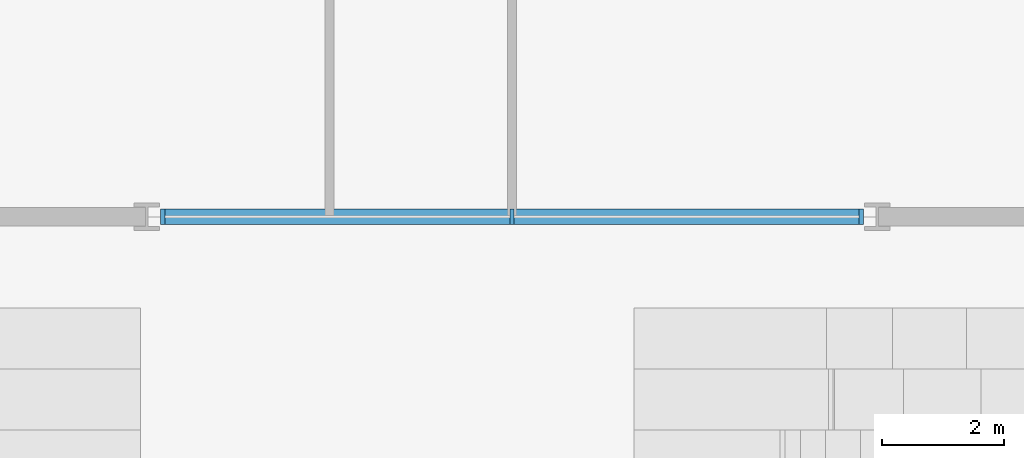
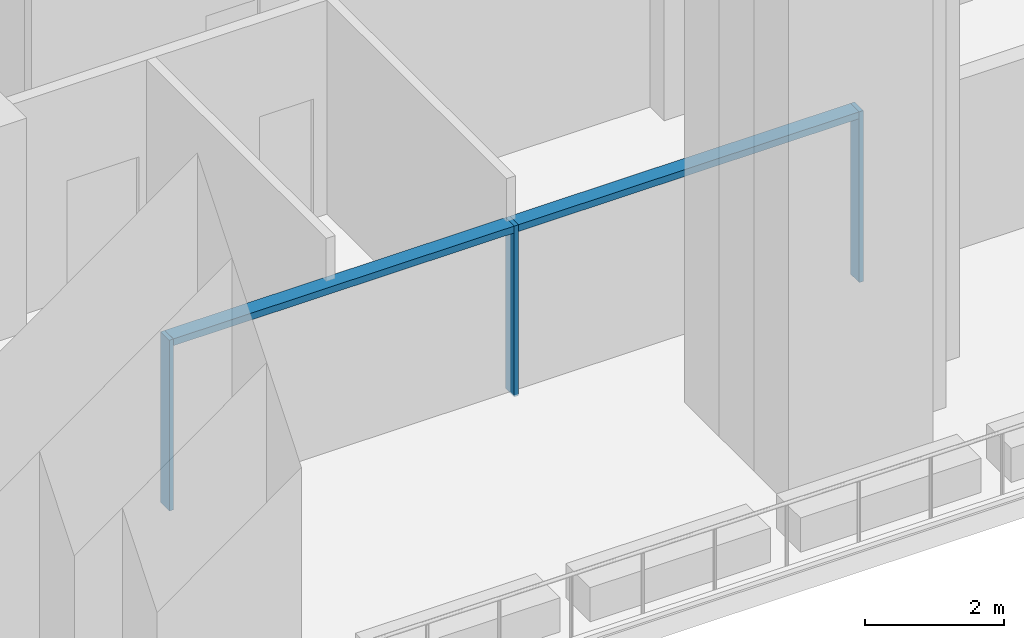
# One storey, part 4 of 31: 5 members, 1 element without a shape of its own.
"""IFC4 building model written with IfcOpenShell, lengths in metres."""

from ifc_helpers import new_model, si_unit, direction, frame, origin, origin_2d, place, context, subcontext, project, spatial, rectangle, extrude, material, material_profile, profile_set, type_object, element, aggregate, save


model = new_model("IFC4")

# Units and contexts
model_context = context("Model", 3, precision=1e-05, world=origin(), true_north=direction((0.0, 1.0)))
body_context = subcontext(model_context, "Body", "Model", "MODEL_VIEW")
ifc_project = project(units=[si_unit("LENGTHUNIT", "METRE"), si_unit("AREAUNIT", "SQUARE_METRE"), si_unit("VOLUMEUNIT", "CUBIC_METRE"), si_unit("PLANEANGLEUNIT", "RADIAN"), si_unit("MASSUNIT", "GRAM", prefix="KILO")], contexts=[model_context])

# Site, building, storey
site_placement = place(None, origin())
site = spatial("IfcSite", under=ifc_project, at=site_placement, CompositionType="ELEMENT")
building_placement = place(site_placement, origin())
building = spatial("IfcBuilding", under=site, at=building_placement, Name="Mahtab Terrace Research Tower", CompositionType="ELEMENT")
storey_placement = place(building_placement, frame((0.0, 0.0, 84.800048828125)))
storey = spatial("IfcBuildingStorey", under=building, at=storey_placement, Name="L19", CompositionType="ELEMENT", Elevation=84.800048828125)

# Curtain wall, members
ifc_material_1 = material(Name="Sky lounge full-height curtain wall")
curtain_wall_type = type_object("IfcCurtainWallType", Name="Sky lounge full-height curtain wall", PredefinedType="NOTDEFINED", material=ifc_material_1)
curtain_wall_placement = place(storey_placement, origin())
curtain_wall = element("IfcCurtainWall", 1, at=curtain_wall_placement, inside=storey, type_object=curtain_wall_type, Name="EN.L19.13.27", PredefinedType="NOTDEFINED")
ifc_material_2 = material(Name="Natural anodised aluminium", Category="aluminium")
ifc_material_profile_1 = material_profile(ifc_material_2, rectangle(XDim=0.25, YDim=0.070068359375, at=origin_2d()), Name="MULLION 70x250")
ifc_profile_set_1 = profile_set([ifc_material_profile_1], Name="Natural anodised aluminium")
member_type_1 = type_object("IfcMemberType", Name="Sky lounge full-height curtain wall mullion", PredefinedType="MULLION", material=ifc_profile_set_1)
member_1_placement = place(storey_placement, frame((6.262939453125, -17.0, 0.0), z_axis=(0.0, 0.0, 1.0), x_axis=(0.0, 1.0, 0.0)))
member_1 = element("IfcMember", 2, at=member_1_placement, type_object=member_type_1, Name="CWS-3 mullion 1", PredefinedType="MULLION", context=body_context, shape_type="SweptSolid", body=[
    extrude(rectangle(XDim=0.25, YDim=0.070068359375, at=origin_2d()), origin(), (0.0, 0.0, 1.0), 3.0029296875),
])
member_2_placement = place(storey_placement, frame((12.0, -17.0, 0.0), z_axis=(0.0, 0.0, 1.0), x_axis=(0.0, 1.0, 0.0)))
member_2 = element("IfcMember", 3, at=member_2_placement, type_object=member_type_1, Name="CWS-3 mullion 2", PredefinedType="MULLION", context=body_context, shape_type="SweptSolid", body=[
    extrude(rectangle(XDim=0.25, YDim=0.070068359375, at=origin_2d()), origin(), (0.0, 0.0, 1.0), 3.0029296875),
])
member_3_placement = place(storey_placement, frame((17.737060546875, -17.0, 0.0), z_axis=(0.0, 0.0, 1.0), x_axis=(0.0, 1.0, 0.0)))
member_3 = element("IfcMember", 4, at=member_3_placement, type_object=member_type_1, Name="CWS-3 mullion 3", PredefinedType="MULLION", context=body_context, shape_type="SweptSolid", body=[
    extrude(rectangle(XDim=0.25, YDim=0.070068359375, at=origin_2d()), origin(), (0.0, 0.0, 1.0), 3.0029296875),
])
ifc_material_profile_2 = material_profile(ifc_material_2, rectangle(XDim=0.25, YDim=0.1201171875, at=origin_2d()), Name="TRANSOM 120x250")
ifc_profile_set_2 = profile_set([ifc_material_profile_2], Name="Natural anodised aluminium")
member_type_2 = type_object("IfcMemberType", Name="Sky lounge full-height curtain wall transom", PredefinedType="USERDEFINED", material=ifc_profile_set_2)
member_4_placement = place(storey_placement, frame((6.298095703125, -17.0, 2.943115234375), z_axis=(1.0, 0.0, 0.0), x_axis=(0.0, 1.0, 0.0)))
member_4 = element("IfcMember", 5, at=member_4_placement, type_object=member_type_2, Name="CWS-3 transom 1", ObjectType="TRANSOM", PredefinedType="USERDEFINED", context=body_context, shape_type="SweptSolid", body=[
    extrude(rectangle(XDim=0.25, YDim=0.1201171875, at=origin_2d()), origin(), (0.0, 0.0, 1.0), 5.6669921875),
])
member_5_placement = place(storey_placement, frame((12.034912109375, -17.0, 2.943115234375), z_axis=(1.0, 0.0, 0.0), x_axis=(0.0, 1.0, 0.0)))
member_5 = element("IfcMember", 6, at=member_5_placement, type_object=member_type_2, Name="CWS-3 transom 2", ObjectType="TRANSOM", PredefinedType="USERDEFINED", context=body_context, shape_type="SweptSolid", body=[
    extrude(rectangle(XDim=0.25, YDim=0.1201171875, at=origin_2d()), origin(), (0.0, 0.0, 1.0), 5.6669921875),
])
aggregate(curtain_wall, [member_1, member_2, member_3, member_4, member_5])

save(model, "model.ifc")
